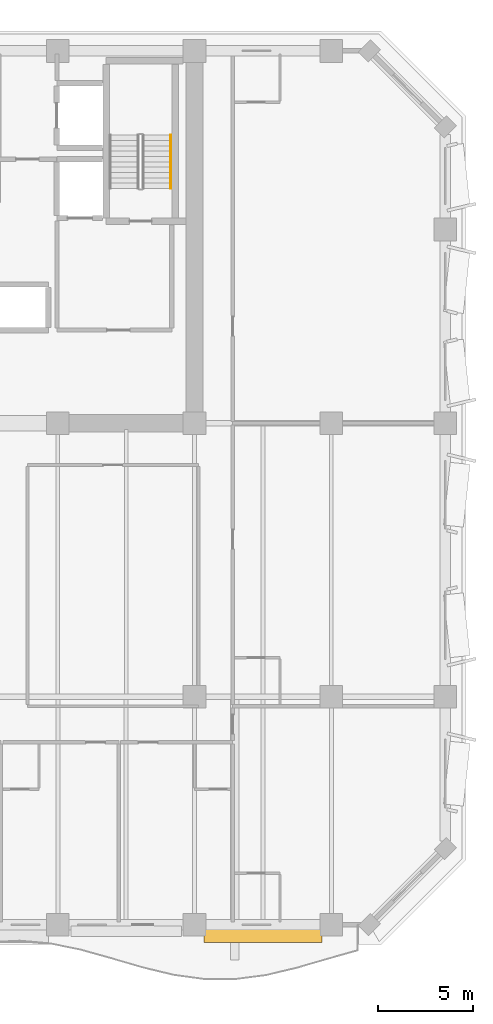
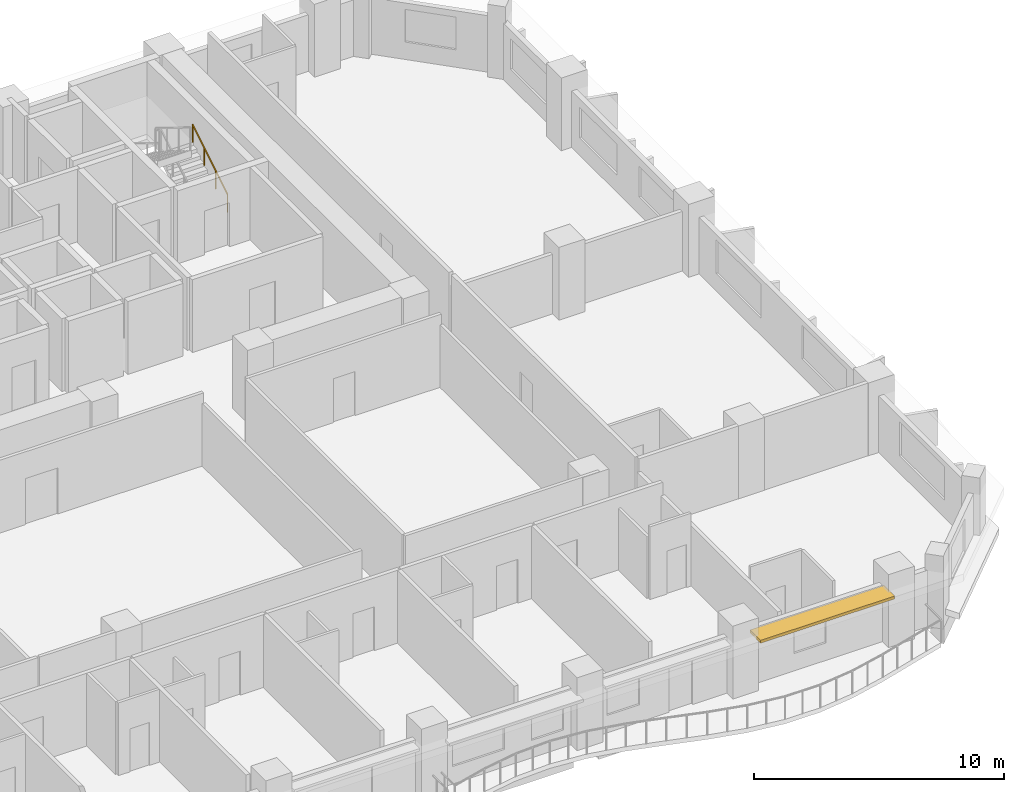
# One storey, part 15 of 15: 1 railing, 1 shading device.
"""IFC4 building model written with IfcOpenShell, lengths in metres."""

from ifc_helpers import new_model, si_unit, direction, frame, origin, origin_2d, place, context, subcontext, project, spatial, rectangle, extrude, material, layer, layer_set, type_object, element, save


model = new_model("IFC4")

# Units and contexts
model_context = context("Model", 3, precision=1e-05, world=origin(), true_north=direction((0.0, 1.0)))
body_context = subcontext(model_context, "Body", "Model", "MODEL_VIEW")
ifc_project = project(units=[si_unit("LENGTHUNIT", "METRE"), si_unit("AREAUNIT", "SQUARE_METRE"), si_unit("VOLUMEUNIT", "CUBIC_METRE"), si_unit("PLANEANGLEUNIT", "RADIAN"), si_unit("MASSUNIT", "GRAM", prefix="KILO")], contexts=[model_context])

# Site, building, storey
site_placement = place(None, origin())
site = spatial("IfcSite", under=ifc_project, at=site_placement, CompositionType="ELEMENT")
building_placement = place(site_placement, origin())
building = spatial("IfcBuilding", under=site, at=building_placement, Name="Kaelvorn Grand Hotel", CompositionType="ELEMENT")
storey_placement = place(building_placement, frame((0.0, 0.0, 150.550048828125)))
storey = spatial("IfcBuildingStorey", under=building, at=storey_placement, Name="L36", CompositionType="ELEMENT", Elevation=150.550048828125)

# Railing
ifc_material_1 = material(Name="Stainless Steel", Category="steel")
railing_type = type_object("IfcRailingType", Name="RL-HANDRAIL-900", PredefinedType="HANDRAIL", material=ifc_material_1)
railing_placement = place(storey_placement, frame((66.550048828125, 41.760009765625, 0.172607421875)))
element("IfcRailing", 1, at=railing_placement, inside=storey, type_object=railing_type, Name="L36 ST3 stair handrail 1", PredefinedType="HANDRAIL", context=body_context, shape_type="SweptSolid", body=[
    extrude(rectangle(XDim=0.048095703125, YDim=0.048095703125, at=origin_2d()), frame((0.0, 0.0, 0.8759765625), z_axis=(0.0, 0.851089632645, 0.525020415988), x_axis=(-1.0, 0.0, 0.0)), (0.0, 0.0, 1.0), 3.2900390625),
    extrude(rectangle(XDim=0.0419921875, YDim=0.0419921875, at=origin_2d()), origin(), (0.0, 0.0, 1.0), 0.851806640625),
    extrude(rectangle(XDim=0.0419921875, YDim=0.0419921875, at=origin_2d()), frame((0.0, 0.933349609375, 0.57568359375)), (0.0, 0.0, 1.0), 0.851806640625),
    extrude(rectangle(XDim=0.0419921875, YDim=0.0419921875, at=origin_2d()), frame((0.0, 1.86669921875, 1.151611328125)), (0.0, 0.0, 1.0), 0.851806640625),
    extrude(rectangle(XDim=0.0419921875, YDim=0.0419921875, at=origin_2d()), frame((0.0, 2.800048828125, 1.727294921875)), (0.0, 0.0, 1.0), 0.851806640625),
])

# Shading device
ifc_material_2 = material(Name="Precast concrete C45/55", Category="concrete")
ifc_layer = layer(ifc_material_2, 0.139892578125)
ifc_layer_set = layer_set([ifc_layer], Name="Precast concrete C45/55")
shading_device_type = type_object("IfcShadingDeviceType", Name="SHD-SUNSHADE-850", PredefinedType="USERDEFINED", material=ifc_layer_set)
shading_device_placement = place(storey_placement, frame((71.39990234375, 2.4951171875, 2.5498046875), z_axis=(0.0, 0.0, 1.0), x_axis=(1.0, 0.0, 0.0)))
element("IfcShadingDevice", 2, at=shading_device_placement, inside=storey, type_object=shading_device_type, Name="L36 Horizontal Concrete Sunshade Band SS-10", ObjectType="SUNSHADE", PredefinedType="USERDEFINED", context=body_context, shape_type="SweptSolid", body=[
    extrude(rectangle(XDim=6.199951171875, YDim=0.85009765625, at=origin_2d()), origin(), (0.0, 0.0, 1.0), 0.139892578125),
])

save(model, "model.ifc")
